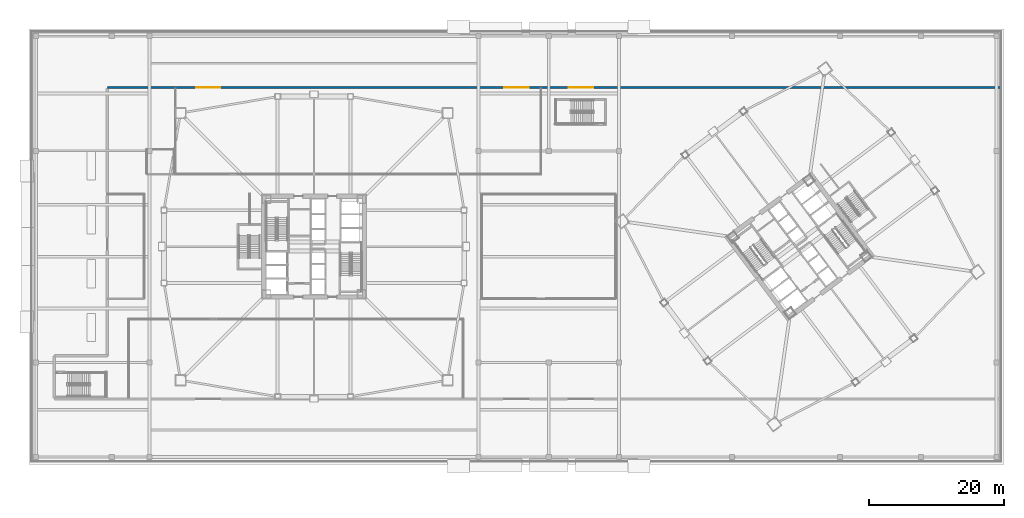
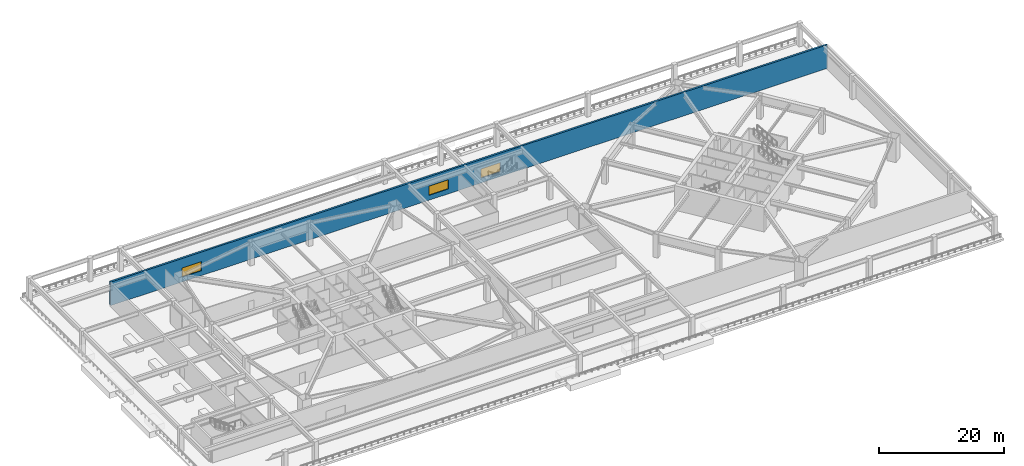
# One storey, part 10 of 21: 3 windows, 1 wall, 3 openings.
"""IFC4 building model written with IfcOpenShell, lengths in metres."""

from ifc_helpers import new_model, si_unit, direction, frame, frame_2d, origin, place, context, subcontext, project, spatial, rectangle, extrude, material, layer, layer_set, type_object, element, fill, save


model = new_model("IFC4")

# Units and contexts
model_context = context("Model", 3, precision=1e-05, world=origin(), true_north=direction((0.0, 1.0)))
body_context = subcontext(model_context, "Body", "Model", "MODEL_VIEW")
ifc_project = project(units=[si_unit("LENGTHUNIT", "METRE"), si_unit("AREAUNIT", "SQUARE_METRE"), si_unit("VOLUMEUNIT", "CUBIC_METRE"), si_unit("PLANEANGLEUNIT", "RADIAN"), si_unit("MASSUNIT", "GRAM", prefix="KILO")], contexts=[model_context])

# Site, building, storey
site_placement = place(None, origin())
site = spatial("IfcSite", under=ifc_project, at=site_placement, CompositionType="ELEMENT")
building_placement = place(site_placement, origin())
building = spatial("IfcBuilding", under=site, at=building_placement, Name="Tashvorn Skyway Center", CompositionType="ELEMENT")
storey_placement = place(building_placement, frame((0.0, 0.0, 19.800048828125)))
storey = spatial("IfcBuildingStorey", under=building, at=storey_placement, Name="L04", CompositionType="ELEMENT", Elevation=19.800048828125)

# Wall, openings, windows
ifc_material_1 = material(Name="Precast concrete C40/50", Category="concrete")
ifc_layer = layer(ifc_material_1, 0.35009765625)
ifc_layer_set = layer_set([ifc_layer], Name="Precast concrete C40/50")
wall_type = type_object("IfcWallType", Name="WALL-EXT-350", PredefinedType="SOLIDWALL", material=ifc_layer_set)
wall_placement = place(storey_placement, frame((11.35009765625, 55.60009765625, 0.0), z_axis=(0.0, 0.0, 1.0), x_axis=(1.0, 0.0, 0.0)))
wall = element("IfcWall", 1, at=wall_placement, inside=storey, type_object=wall_type, Name="L04 Stepped North Postmodern Facade Wall", PredefinedType="SOLIDWALL", context=body_context, shape_type="SweptSolid", body=[
    extrude(rectangle(XDim=132.474853515625, YDim=0.35009765625, at=frame_2d((66.2373046875, 0.0))), origin(), (0.0, 0.0, 1.0), 4.599853515625),
])
opening_1_placement = place(wall_placement, frame((13.14990234375, 0.0, 0.949951171875)))
opening_1 = element("IfcOpeningElement", 2, at=opening_1_placement, cuts=wall, Name="Opening WIN-3600", PredefinedType="OPENING", context=body_context, shape_type="SweptSolid", body=[
    extrude(rectangle(XDim=3.60009765625, YDim=1.800048828125, at=frame_2d((1.800048828125, 0.89990234375))), frame((0.0, 0.18505859375, 0.0), z_axis=(0.0, -1.0, 0.0), x_axis=(1.0, 0.0, 0.0)), (0.0, 0.0, 1.0), 0.3701171875),
])
opening_2_placement = place(wall_placement, frame((58.85009765625, 0.0, 0.949951171875)))
opening_2 = element("IfcOpeningElement", 3, at=opening_2_placement, cuts=wall, Name="Opening WIN-3600", PredefinedType="OPENING", context=body_context, shape_type="SweptSolid", body=[
    extrude(rectangle(XDim=3.60009765625, YDim=1.800048828125, at=frame_2d((1.800048828125, 0.89990234375))), frame((0.0, 0.18505859375, 0.0), z_axis=(0.0, -1.0, 0.0), x_axis=(1.0, 0.0, 0.0)), (0.0, 0.0, 1.0), 0.3701171875),
])
opening_3_placement = place(wall_placement, frame((68.449951171875, 0.0, 0.949951171875)))
opening_3 = element("IfcOpeningElement", 4, at=opening_3_placement, cuts=wall, Name="Opening WIN-3600", PredefinedType="OPENING", context=body_context, shape_type="SweptSolid", body=[
    extrude(rectangle(XDim=3.60009765625, YDim=1.800048828125, at=frame_2d((1.800048828125, 0.89990234375))), frame((0.0, 0.18505859375, 0.0), z_axis=(0.0, -1.0, 0.0), x_axis=(1.0, 0.0, 0.0)), (0.0, 0.0, 1.0), 0.3701171875),
])
ifc_material_2 = material(Name="Low-E solar-control double insulating safety glass", Category="glass")
window_type = type_object("IfcWindowType", Name="WIN-CLER-3600", PartitioningType="SINGLE_PANEL", PredefinedType="WINDOW", material=ifc_material_2)
window_1_placement = place(opening_1_placement, origin())
window_1 = element("IfcWindow", 5, at=window_1_placement, inside=storey, type_object=window_type, Name="L04 Stepped North Clerestory Window 01", OverallHeight=1.800048828125, OverallWidth=3.60009765625, PartitioningType="SINGLE_PANEL", PredefinedType="WINDOW", context=body_context, shape_type="SweptSolid", body=[
    extrude(rectangle(XDim=3.60009765625, YDim=1.800048828125, at=frame_2d((1.800048828125, 0.89990234375))), frame((0.0, 0.030029296875, 0.0), z_axis=(0.0, -1.0, 0.0), x_axis=(1.0, 0.0, 0.0)), (0.0, 0.0, 1.0), 0.06005859375),
])
fill(opening_1, window_1)
window_2_placement = place(opening_2_placement, origin())
window_2 = element("IfcWindow", 6, at=window_2_placement, inside=storey, type_object=window_type, Name="L04 Stepped North Clerestory Window 02", OverallHeight=1.800048828125, OverallWidth=3.60009765625, PartitioningType="SINGLE_PANEL", PredefinedType="WINDOW", context=body_context, shape_type="SweptSolid", body=[
    extrude(rectangle(XDim=3.60009765625, YDim=1.800048828125, at=frame_2d((1.800048828125, 0.89990234375))), frame((0.0, 0.030029296875, 0.0), z_axis=(0.0, -1.0, 0.0), x_axis=(1.0, 0.0, 0.0)), (0.0, 0.0, 1.0), 0.06005859375),
])
fill(opening_2, window_2)
window_3_placement = place(opening_3_placement, origin())
window_3 = element("IfcWindow", 7, at=window_3_placement, inside=storey, type_object=window_type, Name="L04 Stepped North Clerestory Window 03", OverallHeight=1.800048828125, OverallWidth=3.60009765625, PartitioningType="SINGLE_PANEL", PredefinedType="WINDOW", context=body_context, shape_type="SweptSolid", body=[
    extrude(rectangle(XDim=3.60009765625, YDim=1.800048828125, at=frame_2d((1.800048828125, 0.89990234375))), frame((0.0, 0.030029296875, 0.0), z_axis=(0.0, -1.0, 0.0), x_axis=(1.0, 0.0, 0.0)), (0.0, 0.0, 1.0), 0.06005859375),
])
fill(opening_3, window_3)

save(model, "model.ifc")
